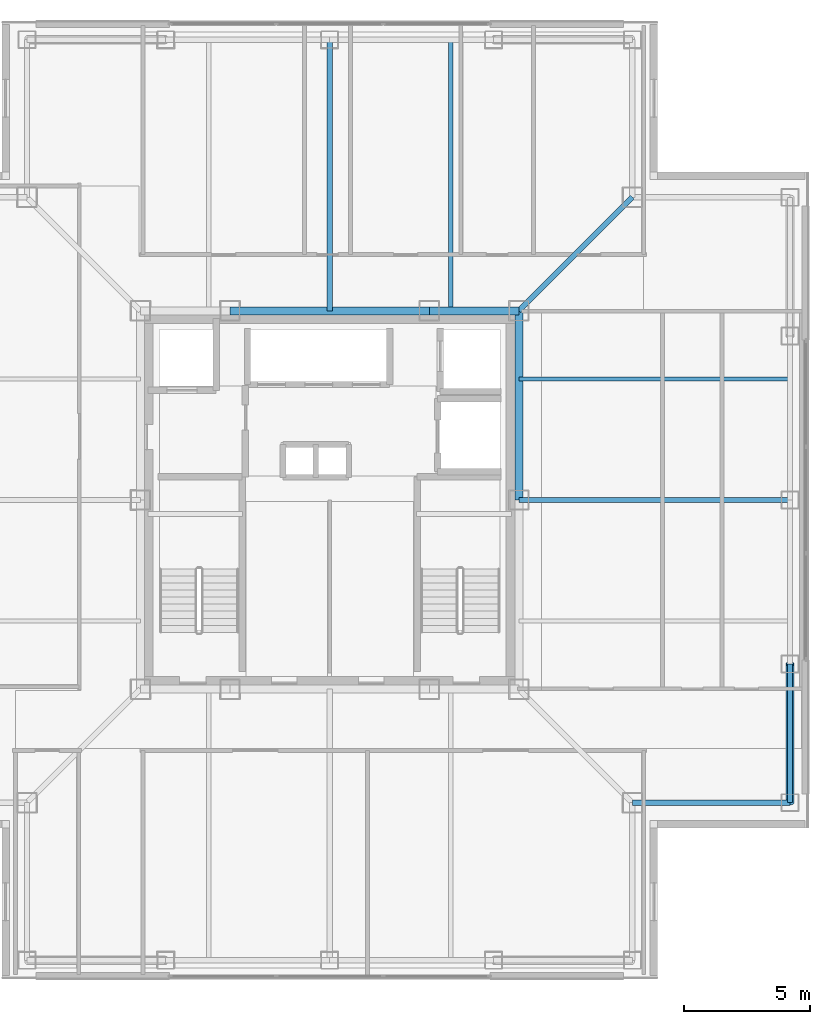
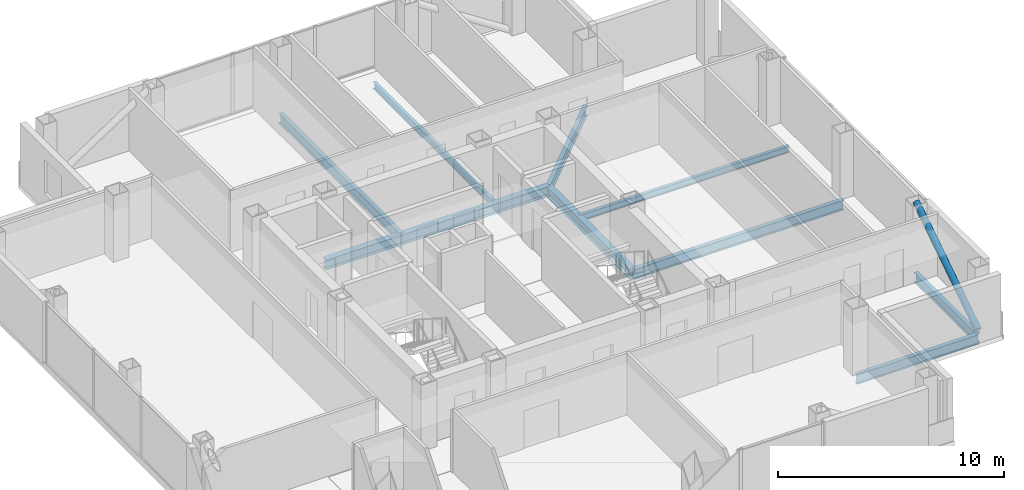
# One storey, part 5 of 16: 10 beams, 1 member.
"""IFC4 building model written with IfcOpenShell, lengths in metres."""

import ifcopenshell
import ifcopenshell.guid

model = None  # the IFC model being written
_history = None  # IfcOwnerHistory: only IFC2X3 demands one
_inside = {}  # id of a spatial element -> (the spatial element, [elements in it])
_under = {}  # id of a project, library or spatial element -> (it, [spatial elements below it])
_declared = {}  # id of a project -> (the project, [libraries it declares])
_typed = {}  # id of a type object -> (the type object, [elements of that type])
_made_of = {}  # id of a material, layer set ... -> (it, [elements and type objects made of it])


def new_model(schema):
    """Start an empty IFC model of exactly this schema.

    Asked for "IFC4X3", IfcOpenShell would pick the latest addendum, in which some entities
    have other attributes; the version numbers below select the first issue.
    IFC2X3 requires an IfcOwnerHistory on every rooted entity: one is made here for all.
    """
    global model, _history
    if schema == "IFC4X3":
        model = ifcopenshell.file(schema_version=(4, 3, 0, 0))
    else:
        model = ifcopenshell.file(schema=schema)
    _inside.clear()
    _under.clear()
    _declared.clear()
    _typed.clear()
    _made_of.clear()
    _history = None
    if model.schema == "IFC2X3":
        org = make("IfcOrganization", Name="unknown")
        user = make(
            "IfcPersonAndOrganization",
            ThePerson=make("IfcPerson", FamilyName="unknown"),
            TheOrganization=org,
        )
        app = make(
            "IfcApplication",
            ApplicationDeveloper=org,
            Version="unknown",
            ApplicationFullName="unknown",
            ApplicationIdentifier="unknown",
        )
        _history = make(
            "IfcOwnerHistory",
            OwningUser=user,
            OwningApplication=app,
            ChangeAction="ADDED",
            CreationDate=0,
        )
    return model


def make(cls, **values):
    """One entity of the class cls with the attributes given. An attribute that is None is left unset."""
    return model.create_entity(
        cls, **{name: value for name, value in values.items() if value is not None}
    )


def rooted(cls, **values):
    """An entity with a GlobalId (a new one), such as an element, a storey or a relation."""
    return make(cls, GlobalId=ifcopenshell.guid.new(), OwnerHistory=_history, **values)


def si_unit(unit_type, name, prefix=None):
    """IfcSIUnit, for example si_unit("LENGTHUNIT", "METRE", prefix="MILLI")."""
    return make("IfcSIUnit", UnitType=unit_type, Prefix=prefix, Name=name)


def assignment(units):
    """IfcUnitAssignment: the units of a project."""
    return None if units is None else make("IfcUnitAssignment", Units=units)


def point(xyz):
    """IfcCartesianPoint."""
    return None if xyz is None else make("IfcCartesianPoint", Coordinates=xyz)


def direction(xyz):
    """IfcDirection."""
    return None if xyz is None else make("IfcDirection", DirectionRatios=xyz)


def frame(location, z_axis=None, x_axis=None):
    """IfcAxis2Placement3D, a coordinate frame: its origin and axes. An axis left out is left unset."""
    return make(
        "IfcAxis2Placement3D",
        Location=point(location),
        Axis=direction(z_axis),
        RefDirection=direction(x_axis),
    )


def frame_2d(location, x_axis=None):
    """IfcAxis2Placement2D, a coordinate frame in the plane: its origin and x axis."""
    return make(
        "IfcAxis2Placement2D", Location=point(location), RefDirection=direction(x_axis)
    )


def origin():
    """The frame at (0, 0, 0) with its axes left unset."""
    return frame((0.0, 0.0, 0.0))


def origin_2d():
    """The frame at (0, 0) in the plane with its x axis left unset."""
    return frame_2d((0.0, 0.0))


def place(relative_to, where):
    """IfcLocalPlacement: puts the frame where relative to a parent placement (None: the world)."""
    return make(
        "IfcLocalPlacement", PlacementRelTo=relative_to, RelativePlacement=where
    )


def context(
    kind, dimensions, precision=None, world=None, true_north=None, identifier=None
):
    """IfcGeometricRepresentationContext, for example the 3D "Model" context."""
    return make(
        "IfcGeometricRepresentationContext",
        ContextIdentifier=identifier,
        ContextType=kind,
        CoordinateSpaceDimension=dimensions,
        Precision=precision,
        WorldCoordinateSystem=world,
        TrueNorth=true_north,
    )


def subcontext(parent, identifier, kind, view, scale=None):
    """IfcGeometricRepresentationSubContext, for example "Body" below "Model"."""
    return make(
        "IfcGeometricRepresentationSubContext",
        ContextIdentifier=identifier,
        ContextType=kind,
        ParentContext=parent,
        TargetScale=scale,
        TargetView=view,
    )


def project(units=None, contexts=None):
    """IfcProject with its units and contexts."""
    return rooted(
        "IfcProject",
        Name="project",
        RepresentationContexts=contexts,
        UnitsInContext=assignment(units),
    )


def spatial(cls, under=None, at=None, **own):
    """A site, building, storey or space (cls), placed at a placement, below another one or the project."""
    s = rooted(cls, ObjectPlacement=at, **own)
    if under is not None:
        _under.setdefault(under.id(), (under, []))[1].append(s)
    return s


def profile(cls, at=None, kind="AREA", **sizes):
    """A parametric profile (cls). Its sizes go by their IFC names, for example OverallWidth=200.0."""
    return make(cls, ProfileType=kind, Position=at, **sizes)


def hollow_circle(**sizes):
    """IfcCircleHollowProfileDef."""
    return profile("IfcCircleHollowProfileDef", **sizes)


def i_section(**sizes):
    """IfcIShapeProfileDef."""
    return profile("IfcIShapeProfileDef", **sizes)


def extrude(swept, where, along, depth):
    """IfcExtrudedAreaSolid: the profile swept, set in the frame where, extruded along a direction by depth."""
    return make(
        "IfcExtrudedAreaSolid",
        SweptArea=swept,
        Position=where,
        ExtrudedDirection=direction(along),
        Depth=depth,
    )


def shape(context_of_items, identifier, shape_type, items):
    """IfcShapeRepresentation: the items that make up one representation, for example the "Body"."""
    return make(
        "IfcShapeRepresentation",
        ContextOfItems=context_of_items,
        RepresentationIdentifier=identifier,
        RepresentationType=shape_type,
        Items=items,
    )


def material(Name=None, Category=None):
    """IfcMaterial."""
    return make("IfcMaterial", Name=Name, Category=Category)


def material_profile(
    of_material, cross_section, Name=None, Category=None, Priority=None
):
    """IfcMaterialProfile: a cross section and its material."""
    return make(
        "IfcMaterialProfile",
        Name=Name,
        Material=of_material,
        Profile=cross_section,
        Priority=Priority,
        Category=Category,
    )


def profile_set(profiles, Name=None, composite=None):
    """IfcMaterialProfileSet."""
    return make(
        "IfcMaterialProfileSet",
        Name=Name,
        MaterialProfiles=profiles,
        CompositeProfile=composite,
    )


def made_of(thing, what):
    """Note that an element or type object is made of a material, layer set ...; save() writes the relation."""
    if what is not None:
        _made_of.setdefault(what.id(), (what, []))[1].append(thing)
    return thing


def type_object(cls, material=None, **own):
    """A type object (cls), such as IfcWallType, which elements share."""
    return made_of(rooted(cls, **own), material)


def element(
    cls,
    number,
    at=None,
    inside=None,
    cuts=None,
    type_object=None,
    material=None,
    context=None,
    identifier="Body",
    shape_type=None,
    held_by="IfcProductDefinitionShape",
    body=None,
    shapes=None,
    **own,
):
    """One element of the class cls, such as IfcWall. Its Tag is "e" and its number.

    at: its placement. inside: the storey or other place that contains it. cuts: it is an
    opening in that element (IfcRelVoidsElement). A single representation is given by context,
    identifier, shape_type and body (its items); several are given by shapes. held_by: the class
    of the entity that holds the representations. save() writes the other relations.
    """
    e = rooted(cls, Tag="e%d" % number, ObjectPlacement=at, **own)
    if body is not None:
        shapes = [shape(context, identifier, shape_type, body)]
    if shapes is not None:
        e.Representation = make(held_by, Representations=shapes)
    if inside is not None:
        _inside.setdefault(inside.id(), (inside, []))[1].append(e)
    if cuts is not None:
        rooted(
            "IfcRelVoidsElement", RelatingBuildingElement=cuts, RelatedOpeningElement=e
        )
    if type_object is not None:
        _typed.setdefault(type_object.id(), (type_object, []))[1].append(e)
    return made_of(e, material)


def aggregate(whole, parts):
    """IfcRelAggregates: a whole, such as a stair, and the parts it consists of."""
    return rooted("IfcRelAggregates", RelatingObject=whole, RelatedObjects=parts)


def save(model, path):
    """Write the relations noted so far, then the file.

    IfcRelAggregates (storeys below a building ...), IfcRelContainedInSpatialStructure (elements
    in a storey), IfcRelDefinesByType, IfcRelAssociatesMaterial and IfcRelDeclares: one each for
    every whole, place, type object, material and project.
    """
    for whole, parts in _under.values():
        aggregate(whole, parts)
    for where, things in _inside.values():
        rooted(
            "IfcRelContainedInSpatialStructure",
            RelatedElements=things,
            RelatingStructure=where,
        )
    for kind, things in _typed.values():
        rooted("IfcRelDefinesByType", RelatedObjects=things, RelatingType=kind)
    for what, things in _made_of.values():
        rooted("IfcRelAssociatesMaterial", RelatedObjects=things, RelatingMaterial=what)
    for by, libraries in _declared.values():
        rooted("IfcRelDeclares", RelatingContext=by, RelatedDefinitions=libraries)
    model.write(path)


model = new_model("IFC4")

# Units and contexts
model_context = context("Model", 3, precision=1e-05, world=origin(), true_north=direction((0.0, 1.0)))
body_context = subcontext(model_context, "Body", "Model", "MODEL_VIEW")
ifc_project = project(units=[si_unit("LENGTHUNIT", "METRE"), si_unit("AREAUNIT", "SQUARE_METRE"), si_unit("VOLUMEUNIT", "CUBIC_METRE"), si_unit("PLANEANGLEUNIT", "RADIAN"), si_unit("MASSUNIT", "GRAM", prefix="KILO")], contexts=[model_context])

# Site, building, storey
site_placement = place(None, origin())
site = spatial("IfcSite", under=ifc_project, at=site_placement, CompositionType="ELEMENT")
building_placement = place(site_placement, origin())
building = spatial("IfcBuilding", under=site, at=building_placement, Name="Trevonay Congress Spire", CompositionType="ELEMENT")
storey_placement = place(building_placement, frame((0.0, 0.0, 268.39990234375)))
storey = spatial("IfcBuildingStorey", under=building, at=storey_placement, Name="L70", CompositionType="ELEMENT", Elevation=268.39990234375)

# Beams
ifc_material_1 = material(Name="Steel ASTM A572 Grade 50", Category="steel")
ifc_material_profile_1 = material_profile(ifc_material_1, i_section(OverallWidth=0.2119140625, OverallDepth=0.5439453125, WebThickness=0.01318359375, FlangeThickness=0.021240234375, FilletRadius=0.014892578125, at=origin_2d()), Name="W530x123")
ifc_profile_set_1 = profile_set([ifc_material_profile_1], Name="Steel ASTM A572 Grade 50")
beam_type_1 = type_object("IfcBeamType", Name="BM-GIRD-W530X123", PredefinedType="BEAM", material=ifc_profile_set_1)
beam_1_placement = place(storey_placement, frame((7.5, 7.5, -0.511962890625), z_axis=(0.707106781187, 0.707106781187, 0.0), x_axis=(-0.707106781187, 0.707106781187, 0.0)))
element("IfcBeam", 1, at=beam_1_placement, inside=storey, type_object=beam_type_1, Name="L70 structural beam BM-L70-CDNE", PredefinedType="BEAM", context=body_context, shape_type="SweptSolid", body=[
    extrude(i_section(OverallWidth=0.2119140625, OverallDepth=0.5439453125, WebThickness=0.01318359375, FlangeThickness=0.021240234375, FilletRadius=0.014892578125, at=origin_2d()), origin(), (0.0, 0.0, 1.0), 6.364013671875),
])
for number, where, z_axis, x_axis, name in (
    (2, (0.0, 7.5, -0.511962890625), (0.0, 1.0, 0.0), (-1.0, 0.0, 0.0), "L70 structural beam BM-L70-GC-N"),
    (3, (7.5, 0.0, -0.511962890625), (1.0, 0.0, 0.0), (0.0, 1.0, 0.0), "L70 structural beam BM-L70-GC-E"),
):
    element("IfcBeam", number, at=place(storey_placement, frame(where, z_axis=z_axis, x_axis=x_axis)), inside=storey, type_object=beam_type_1, Name=name, PredefinedType="BEAM", context=body_context, shape_type="SweptSolid", body=[
        extrude(i_section(OverallWidth=0.2119140625, OverallDepth=0.5439453125, WebThickness=0.01318359375, FlangeThickness=0.021240234375, FilletRadius=0.014892578125, at=origin_2d()), origin(), (0.0, 0.0, 1.0), 10.75),
    ])
ifc_material_profile_2 = material_profile(ifc_material_1, i_section(OverallWidth=0.31201171875, OverallDepth=0.54296875, WebThickness=0.0126953125, FlangeThickness=0.020263671875, FilletRadius=0.014892578125, at=origin_2d()), Name="W530x150")
ifc_profile_set_2 = profile_set([ifc_material_profile_2], Name="Steel ASTM A572 Grade 50")
beam_type_2 = type_object("IfcBeamType", Name="BM-GIRD-W530X150", PredefinedType="BEAM", material=ifc_profile_set_2)
beam_2_placement = place(storey_placement, frame((-3.949951171875, 7.5, -0.511474609375), z_axis=(1.0, 0.0, 0.0), x_axis=(0.0, 1.0, 0.0)))
element("IfcBeam", 4, at=beam_2_placement, inside=storey, type_object=beam_type_2, Name="L70 structural beam BM-L70-CR-N2", PredefinedType="BEAM", context=body_context, shape_type="SweptSolid", body=[
    extrude(i_section(OverallWidth=0.31201171875, OverallDepth=0.54296875, WebThickness=0.0126953125, FlangeThickness=0.020263671875, FilletRadius=0.014892578125, at=origin_2d()), origin(), (0.0, 0.0, 1.0), 7.89990234375),
])
beam_3_placement = place(storey_placement, frame((3.949951171875, 7.5, -0.511474609375), z_axis=(1.0, 0.0, 0.0), x_axis=(0.0, 1.0, 0.0)))
element("IfcBeam", 5, at=beam_3_placement, inside=storey, type_object=beam_type_2, Name="L70 structural beam BM-L70-CR-N3", PredefinedType="BEAM", context=body_context, shape_type="SweptSolid", body=[
    extrude(i_section(OverallWidth=0.31201171875, OverallDepth=0.54296875, WebThickness=0.0126953125, FlangeThickness=0.020263671875, FilletRadius=0.014892578125, at=origin_2d()), origin(), (0.0, 0.0, 1.0), 3.550048828125),
])
beam_4_placement = place(storey_placement, frame((7.5, 0.0, -0.511474609375), z_axis=(0.0, 1.0, 0.0), x_axis=(-1.0, 0.0, 0.0)))
element("IfcBeam", 6, at=beam_4_placement, inside=storey, type_object=beam_type_2, Name="L70 structural beam BM-L70-CR-E2", PredefinedType="BEAM", context=body_context, shape_type="SweptSolid", body=[
    extrude(i_section(OverallWidth=0.31201171875, OverallDepth=0.54296875, WebThickness=0.0126953125, FlangeThickness=0.020263671875, FilletRadius=0.014892578125, at=origin_2d()), origin(), (0.0, 0.0, 1.0), 7.5),
])
ifc_material_profile_3 = material_profile(ifc_material_1, i_section(OverallWidth=0.208984375, OverallDepth=0.532958984375, WebThickness=0.01025390625, FlangeThickness=0.015625, FilletRadius=0.014892578125, at=origin_2d()), Name="W530x92")
ifc_profile_set_3 = profile_set([ifc_material_profile_3], Name="Steel ASTM A572 Grade 50")
beam_type_3 = type_object("IfcBeamType", Name="BM-RING-W530X92", PredefinedType="BEAM", material=ifc_profile_set_3)
beam_5_placement = place(storey_placement, frame((18.25, -12.0, -0.50634765625), z_axis=(0.0, 1.0, 0.0), x_axis=(-1.0, 0.0, 0.0)))
element("IfcBeam", 7, at=beam_5_placement, inside=storey, type_object=beam_type_3, Name="L70 structural beam BM-L70-PE1", PredefinedType="BEAM", context=body_context, shape_type="SweptSolid", body=[
    extrude(i_section(OverallWidth=0.208984375, OverallDepth=0.532958984375, WebThickness=0.01025390625, FlangeThickness=0.015625, FilletRadius=0.014892578125, at=origin_2d()), origin(), (0.0, 0.0, 1.0), 5.5),
])
beam_6_placement = place(storey_placement, frame((18.25, -12.0, -0.50634765625), z_axis=(-1.0, 0.0, 0.0), x_axis=(0.0, -1.0, 0.0)))
element("IfcBeam", 8, at=beam_6_placement, inside=storey, type_object=beam_type_3, Name="L70 structural beam BM-L70-N2SE", PredefinedType="BEAM", context=body_context, shape_type="SweptSolid", body=[
    extrude(i_section(OverallWidth=0.208984375, OverallDepth=0.532958984375, WebThickness=0.01025390625, FlangeThickness=0.015625, FilletRadius=0.014892578125, at=origin_2d()), origin(), (0.0, 0.0, 1.0), 6.25),
])
ifc_material_profile_4 = material_profile(ifc_material_1, i_section(OverallWidth=0.172119140625, OverallDepth=0.35791015625, WebThickness=0.0078125, FlangeThickness=0.01318359375, FilletRadius=0.011962890625, at=origin_2d()), Name="W360x57.8")
ifc_profile_set_4 = profile_set([ifc_material_profile_4], Name="Steel ASTM A572 Grade 50")
beam_type_4 = type_object("IfcBeamType", Name="JS-COMP-W360X57", PredefinedType="JOIST", material=ifc_profile_set_4)
for number, where, z_axis, x_axis, name in (
    (9, (4.800048828125, 7.5, -0.4189453125), (0.0, 1.0, 0.0), (-1.0, 0.0, 0.0), "L70 structural beam JS-L70-NS-N3"),
    (10, (7.5, 4.800048828125, -0.4189453125), (1.0, 0.0, 0.0), (0.0, 1.0, 0.0), "L70 structural beam JS-L70-EW-E3"),
):
    element("IfcBeam", number, at=place(storey_placement, frame(where, z_axis=z_axis, x_axis=x_axis)), inside=storey, type_object=beam_type_4, Name=name, PredefinedType="JOIST", context=body_context, shape_type="SweptSolid", body=[
        extrude(i_section(OverallWidth=0.172119140625, OverallDepth=0.35791015625, WebThickness=0.0078125, FlangeThickness=0.01318359375, FilletRadius=0.011962890625, at=origin_2d()), origin(), (0.0, 0.0, 1.0), 10.75),
    ])

# Member
ifc_material_2 = material(Name="Steel ASTM A500 Grade C", Category="steel")
ifc_material_profile_5 = material_profile(ifc_material_2, hollow_circle(Radius=0.161865234375, WallThickness=0.01611328125, at=origin_2d()), Name="CHS 323.9x16")
ifc_profile_set_5 = profile_set([ifc_material_profile_5], Name="Steel ASTM A500 Grade C")
member_type = type_object("IfcMemberType", Name="MBR-TUBE-CHS324", PredefinedType="BRACE", material=ifc_profile_set_5)
member_placement = place(storey_placement, frame((18.25, -12.0, -0.0498046875), z_axis=(0.0, 0.836711728151, 0.547643573845), x_axis=(-1.0, 0.0, 0.0)))
element("IfcMember", 11, at=member_placement, inside=storey, type_object=member_type, Name="L70 perimeter braced-tube diagonal E0", PredefinedType="BRACE", context=body_context, shape_type="SweptSolid", body=[
    extrude(hollow_circle(Radius=0.161865234375, WallThickness=0.01611328125, at=origin_2d()), origin(), (0.0, 0.0, 1.0), 6.5732421875),
])

save(model, "model.ifc")
